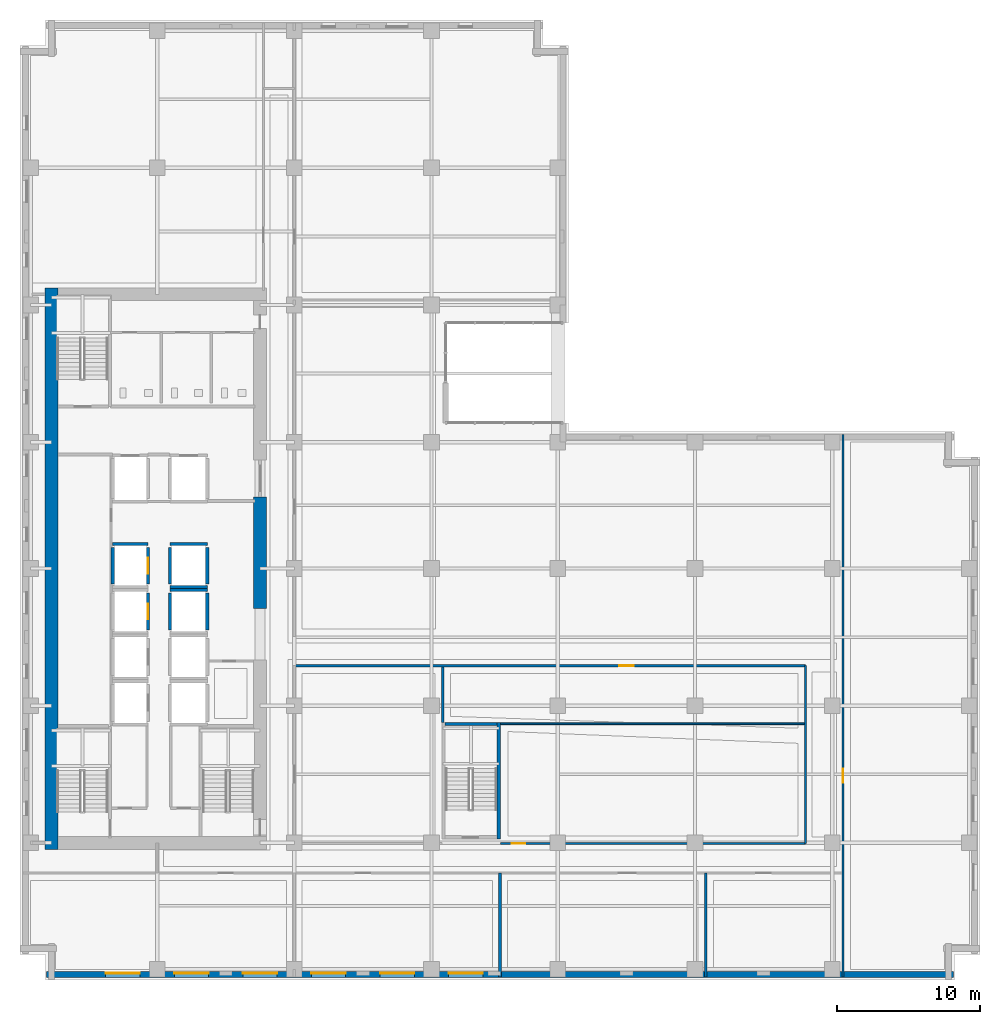
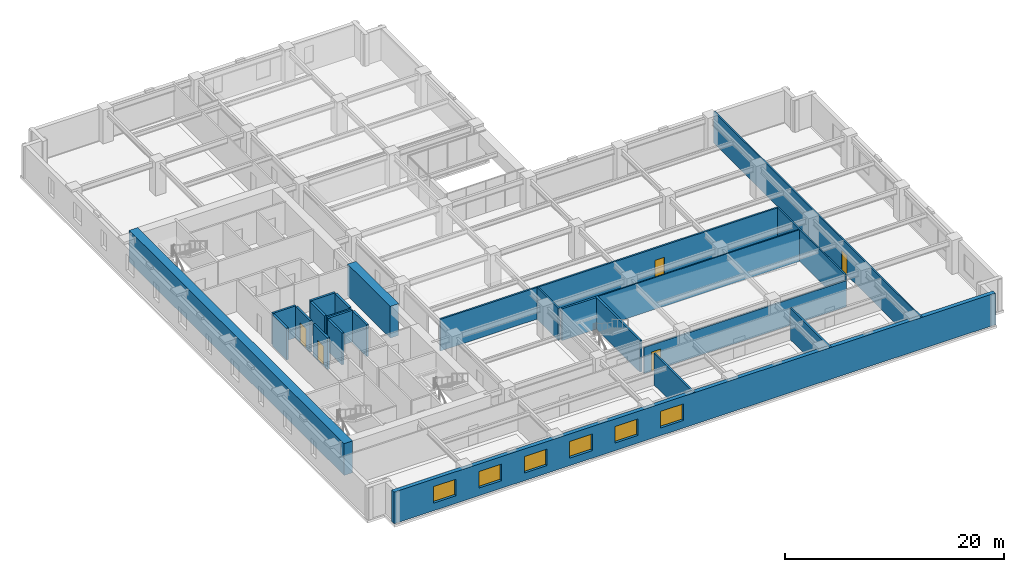
# One storey, part 5 of 14: 24 walls, 6 windows, 5 doors, 11 openings.
"""IFC4 building model written with IfcOpenShell, lengths in metres."""

from ifc_helpers import new_model, si_unit, direction, frame, frame_2d, origin, place, context, subcontext, project, spatial, rectangle, extrude, material, layer, layer_set, type_object, element, fill, save


model = new_model("IFC4")

# Units and contexts
model_context = context("Model", 3, precision=1e-05, world=origin(), true_north=direction((0.0, 1.0)))
body_context = subcontext(model_context, "Body", "Model", "MODEL_VIEW")
ifc_project = project(units=[si_unit("LENGTHUNIT", "METRE"), si_unit("AREAUNIT", "SQUARE_METRE"), si_unit("VOLUMEUNIT", "CUBIC_METRE"), si_unit("PLANEANGLEUNIT", "RADIAN"), si_unit("MASSUNIT", "GRAM", prefix="KILO")], contexts=[model_context])

# Site, building, storey
site_placement = place(None, origin())
site = spatial("IfcSite", under=ifc_project, at=site_placement, CompositionType="ELEMENT")
building_placement = place(site_placement, origin())
building = spatial("IfcBuilding", under=site, at=building_placement, Name="Norrvale University Quadrangle", CompositionType="ELEMENT")
storey_placement = place(building_placement, frame((0.0, 0.0, 62.199951171875)))
storey = spatial("IfcBuildingStorey", under=building, at=storey_placement, Name="L15", CompositionType="ELEMENT", Elevation=62.199951171875)

# Wall, openings, windows
ifc_material_1 = material(Name="Buff Norman Clay Brick Masonry", Category="masonry")
ifc_layer_1 = layer(ifc_material_1, 0.419921875, Name="Buff Norman Clay Brick Masonry")
ifc_layer_set_1 = layer_set([ifc_layer_1], Name="Buff Norman Clay Brick Masonry")
wall_type_1 = type_object("IfcWallType", Name="Wall Buff Brick 420", PredefinedType="SOLIDWALL", material=ifc_layer_set_1)
wall_1_placement = place(storey_placement, frame((1.840087890625, 0.389892578125, 0.0), z_axis=(0.0, 0.0, 1.0), x_axis=(1.0, 0.0, 0.0)))
wall_1 = element("IfcWall", 1, at=wall_1_placement, inside=storey, type_object=wall_type_1, Name="Exterior Brick Facade Wall L15-01.1", PredefinedType="SOLIDWALL", context=body_context, shape_type="SweptSolid", body=[
    extrude(rectangle(XDim=63.52001953125, YDim=0.419921875, at=frame_2d((31.760009765625, 0.0))), origin(), (0.0, 0.0, 1.0), 3.5400390625),
])
opening_1_placement = place(wall_1_placement, frame((4.159912109375, 0.0, 0.85009765625)))
opening_1 = element("IfcOpeningElement", 2, at=opening_1_placement, cuts=wall_1, Name="Opening W02", PredefinedType="OPENING", context=body_context, shape_type="SweptSolid", body=[
    extrude(rectangle(XDim=2.39990234375, YDim=1.85009765625, at=frame_2d((1.199951171875, 0.925048828125))), frame((0.0, 0.221923828125, 0.0), z_axis=(0.0, -1.0, 0.0), x_axis=(1.0, 0.0, 0.0)), (0.0, 0.0, 1.0), 0.44384765625),
])
opening_2_placement = place(wall_1_placement, frame((8.9599609375, 0.0, 0.85009765625)))
opening_2 = element("IfcOpeningElement", 3, at=opening_2_placement, cuts=wall_1, Name="Opening W02", PredefinedType="OPENING", context=body_context, shape_type="SweptSolid", body=[
    extrude(rectangle(XDim=2.39990234375, YDim=1.85009765625, at=frame_2d((1.199951171875, 0.925048828125))), frame((0.0, 0.221923828125, 0.0), z_axis=(0.0, -1.0, 0.0), x_axis=(1.0, 0.0, 0.0)), (0.0, 0.0, 1.0), 0.44384765625),
])
opening_3_placement = place(wall_1_placement, frame((13.760009765625, 0.0, 0.85009765625)))
opening_3 = element("IfcOpeningElement", 4, at=opening_3_placement, cuts=wall_1, Name="Opening W02", PredefinedType="OPENING", context=body_context, shape_type="SweptSolid", body=[
    extrude(rectangle(XDim=2.39990234375, YDim=1.85009765625, at=frame_2d((1.199951171875, 0.925048828125))), frame((0.0, 0.221923828125, 0.0), z_axis=(0.0, -1.0, 0.0), x_axis=(1.0, 0.0, 0.0)), (0.0, 0.0, 1.0), 0.44384765625),
])
opening_4_placement = place(wall_1_placement, frame((18.56005859375, 0.0, 0.85009765625)))
opening_4 = element("IfcOpeningElement", 5, at=opening_4_placement, cuts=wall_1, Name="Opening W02", PredefinedType="OPENING", context=body_context, shape_type="SweptSolid", body=[
    extrude(rectangle(XDim=2.39990234375, YDim=1.85009765625, at=frame_2d((1.199951171875, 0.925048828125))), frame((0.0, 0.221923828125, 0.0), z_axis=(0.0, -1.0, 0.0), x_axis=(1.0, 0.0, 0.0)), (0.0, 0.0, 1.0), 0.44384765625),
])
opening_5_placement = place(wall_1_placement, frame((23.360107421875, 0.0, 0.85009765625)))
opening_5 = element("IfcOpeningElement", 6, at=opening_5_placement, cuts=wall_1, Name="Opening W02", PredefinedType="OPENING", context=body_context, shape_type="SweptSolid", body=[
    extrude(rectangle(XDim=2.39990234375, YDim=1.85009765625, at=frame_2d((1.199951171875, 0.925048828125))), frame((0.0, 0.221923828125, 0.0), z_axis=(0.0, -1.0, 0.0), x_axis=(1.0, 0.0, 0.0)), (0.0, 0.0, 1.0), 0.44384765625),
])
opening_6_placement = place(wall_1_placement, frame((28.159912109375, 0.0, 0.85009765625)))
opening_6 = element("IfcOpeningElement", 7, at=opening_6_placement, cuts=wall_1, Name="Opening W02", PredefinedType="OPENING", context=body_context, shape_type="SweptSolid", body=[
    extrude(rectangle(XDim=2.39990234375, YDim=1.85009765625, at=frame_2d((1.199951171875, 0.925048828125))), frame((0.0, 0.221923828125, 0.0), z_axis=(0.0, -1.0, 0.0), x_axis=(1.0, 0.0, 0.0)), (0.0, 0.0, 1.0), 0.44384765625),
])
ifc_material_2 = material(Name="Triple Low-E Argon Glazing", Category="glass")
window_type = type_object("IfcWindowType", Name="Window Academic 2400x2300", PartitioningType="TRIPLE_PANEL_VERTICAL", PredefinedType="WINDOW", material=ifc_material_2)
window_1_placement = place(opening_1_placement, origin())
window_1 = element("IfcWindow", 8, at=window_1_placement, inside=storey, type_object=window_type, Name="Window Academic 2400x2300 WIN-L15-E01-1-01", OverallHeight=1.85009765625, OverallWidth=2.39990234375, PartitioningType="TRIPLE_PANEL_VERTICAL", PredefinedType="WINDOW", context=body_context, shape_type="SweptSolid", body=[
    extrude(rectangle(XDim=2.39990234375, YDim=1.85009765625, at=frame_2d((1.199951171875, 0.925048828125))), frame((0.0, 0.110107421875, 0.0), z_axis=(0.0, -1.0, 0.0), x_axis=(1.0, 0.0, 0.0)), (0.0, 0.0, 1.0), 0.06005859375),
])
fill(opening_1, window_1)
window_2_placement = place(opening_2_placement, origin())
window_2 = element("IfcWindow", 9, at=window_2_placement, inside=storey, type_object=window_type, Name="Window Academic 2400x2300 WIN-L15-E01-1-02", OverallHeight=1.85009765625, OverallWidth=2.39990234375, PartitioningType="TRIPLE_PANEL_VERTICAL", PredefinedType="WINDOW", context=body_context, shape_type="SweptSolid", body=[
    extrude(rectangle(XDim=2.39990234375, YDim=1.85009765625, at=frame_2d((1.199951171875, 0.925048828125))), frame((0.0, 0.110107421875, 0.0), z_axis=(0.0, -1.0, 0.0), x_axis=(1.0, 0.0, 0.0)), (0.0, 0.0, 1.0), 0.06005859375),
])
fill(opening_2, window_2)
window_3_placement = place(opening_3_placement, origin())
window_3 = element("IfcWindow", 10, at=window_3_placement, inside=storey, type_object=window_type, Name="Window Academic 2400x2300 WIN-L15-E01-1-03", OverallHeight=1.85009765625, OverallWidth=2.39990234375, PartitioningType="TRIPLE_PANEL_VERTICAL", PredefinedType="WINDOW", context=body_context, shape_type="SweptSolid", body=[
    extrude(rectangle(XDim=2.39990234375, YDim=1.85009765625, at=frame_2d((1.199951171875, 0.925048828125))), frame((0.0, 0.110107421875, 0.0), z_axis=(0.0, -1.0, 0.0), x_axis=(1.0, 0.0, 0.0)), (0.0, 0.0, 1.0), 0.06005859375),
])
fill(opening_3, window_3)
window_4_placement = place(opening_4_placement, origin())
window_4 = element("IfcWindow", 11, at=window_4_placement, inside=storey, type_object=window_type, Name="Window Academic 2400x2300 WIN-L15-E01-1-04", OverallHeight=1.85009765625, OverallWidth=2.39990234375, PartitioningType="TRIPLE_PANEL_VERTICAL", PredefinedType="WINDOW", context=body_context, shape_type="SweptSolid", body=[
    extrude(rectangle(XDim=2.39990234375, YDim=1.85009765625, at=frame_2d((1.199951171875, 0.925048828125))), frame((0.0, 0.110107421875, 0.0), z_axis=(0.0, -1.0, 0.0), x_axis=(1.0, 0.0, 0.0)), (0.0, 0.0, 1.0), 0.06005859375),
])
fill(opening_4, window_4)
window_5_placement = place(opening_5_placement, origin())
window_5 = element("IfcWindow", 12, at=window_5_placement, inside=storey, type_object=window_type, Name="Window Academic 2400x2300 WIN-L15-E01-1-05", OverallHeight=1.85009765625, OverallWidth=2.39990234375, PartitioningType="TRIPLE_PANEL_VERTICAL", PredefinedType="WINDOW", context=body_context, shape_type="SweptSolid", body=[
    extrude(rectangle(XDim=2.39990234375, YDim=1.85009765625, at=frame_2d((1.199951171875, 0.925048828125))), frame((0.0, 0.110107421875, 0.0), z_axis=(0.0, -1.0, 0.0), x_axis=(1.0, 0.0, 0.0)), (0.0, 0.0, 1.0), 0.06005859375),
])
fill(opening_5, window_5)
window_6_placement = place(opening_6_placement, origin())
window_6 = element("IfcWindow", 13, at=window_6_placement, inside=storey, type_object=window_type, Name="Window Academic 2400x2300 WIN-L15-E01-1-06", OverallHeight=1.85009765625, OverallWidth=2.39990234375, PartitioningType="TRIPLE_PANEL_VERTICAL", PredefinedType="WINDOW", context=body_context, shape_type="SweptSolid", body=[
    extrude(rectangle(XDim=2.39990234375, YDim=1.85009765625, at=frame_2d((1.199951171875, 0.925048828125))), frame((0.0, 0.110107421875, 0.0), z_axis=(0.0, -1.0, 0.0), x_axis=(1.0, 0.0, 0.0)), (0.0, 0.0, 1.0), 0.06005859375),
])
fill(opening_6, window_6)

# Walls
ifc_material_3 = material(Name="Concrete C80/95", Category="concrete")
ifc_layer_2 = layer(ifc_material_3, 0.89990234375, Name="Concrete C80/95")
ifc_layer_set_2 = layer_set([ifc_layer_2], Name="Concrete C80/95")
wall_type_2 = type_object("IfcWallType", Name="Wall Core 900", PredefinedType="SHEAR", material=ifc_layer_set_2)
wall_2_placement = place(storey_placement, frame((2.199951171875, 9.14990234375, 0.0), z_axis=(0.0, 0.0, 1.0), x_axis=(0.0, 1.0, 0.0)))
element("IfcWall", 14, at=wall_2_placement, inside=storey, type_object=wall_type_2, Name="Tower Core Shear Wall L15-W", PredefinedType="SHEAR", context=body_context, shape_type="SweptSolid", body=[
    extrude(rectangle(XDim=39.300048828125, YDim=0.89990234375, at=frame_2d((19.64990234375, 0.0))), origin(), (0.0, 0.0, 1.0), 3.5400390625),
])
wall_3_placement = place(storey_placement, frame((16.800048828125, 26.0, 0.0), z_axis=(0.0, 0.0, 1.0), x_axis=(0.0, 1.0, 0.0)))
element("IfcWall", 15, at=wall_3_placement, inside=storey, type_object=wall_type_2, Name="Tower Core Shear Wall L15-E2", PredefinedType="SHEAR", context=body_context, shape_type="SweptSolid", body=[
    extrude(rectangle(XDim=7.800048828125, YDim=0.89990234375, at=frame_2d((3.89990234375, 0.0))), origin(), (0.0, 0.0, 1.0), 3.5400390625),
])
ifc_material_4 = material(Name="Standard Academic Gypsum Partition")
ifc_layer_3 = layer(ifc_material_4, 0.125, Name="Standard Academic Gypsum Partition")
ifc_layer_set_3 = layer_set([ifc_layer_3], Name="Standard Academic Gypsum Partition")
wall_type_3 = type_object("IfcWallType", Name="Wall Gypsum Academic 125", PredefinedType="PARTITIONING", material=ifc_layer_set_3)
wall_4_placement = place(storey_placement, frame((33.6201171875, 17.93994140625, 0.0), z_axis=(0.0, 0.0, 1.0), x_axis=(1.0, 0.0, 0.0)))
element("IfcWall", 16, at=wall_4_placement, inside=storey, type_object=wall_type_3, Name="Interior Partition WL-L15-ISLH", PredefinedType="PARTITIONING", context=body_context, shape_type="SweptSolid", body=[
    extrude(rectangle(XDim=21.35498046875, YDim=0.125, at=frame_2d((10.677490234375, 0.0))), origin(), (0.0, 0.0, 1.0), 3.5400390625),
])

# Wall, opening, door
ifc_material_5 = material(Name="Fire-Rated Gypsum Stud Partition")
ifc_layer_4 = layer(ifc_material_5, 0.14990234375, Name="Fire-Rated Gypsum Stud Partition")
ifc_layer_set_4 = layer_set([ifc_layer_4], Name="Fire-Rated Gypsum Stud Partition")
wall_type_4 = type_object("IfcWallType", Name="Wall Gypsum Corridor 150", PredefinedType="PARTITIONING", material=ifc_layer_set_4)
wall_5_placement = place(storey_placement, frame((57.60009765625, 0.219970703125, 0.0), z_axis=(0.0, 0.0, 1.0), x_axis=(0.0, 1.0, 0.0)))
wall_5 = element("IfcWall", 17, at=wall_5_placement, inside=storey, type_object=wall_type_4, Name="Interior Partition WL-L15-ECW", PredefinedType="PARTITIONING", context=body_context, shape_type="SweptSolid", body=[
    extrude(rectangle(XDim=37.9599609375, YDim=0.14990234375, at=frame_2d((18.97998046875, 0.0))), origin(), (0.0, 0.0, 1.0), 3.5400390625),
])
opening_7_placement = place(wall_5_placement, frame((13.580078125, 0.0, 0.0)))
opening_7 = element("IfcOpeningElement", 18, at=opening_7_placement, cuts=wall_5, Name="Opening D04", PredefinedType="OPENING", context=body_context, shape_type="SweptSolid", body=[
    extrude(rectangle(XDim=1.0, YDim=2.199951171875, at=frame_2d((0.5, 1.10009765625))), frame((0.0, 0.0869140625, 0.0), z_axis=(0.0, -1.0, 0.0), x_axis=(1.0, 0.0, 0.0)), (0.0, 0.0, 1.0), 0.173828125),
])
ifc_material_6 = material(Name="Solid-Core Oak Fire Door", Category="wood")
door_type_1 = type_object("IfcDoorType", Name="Door Corridor 1000x2200", OperationType="NOTDEFINED", PredefinedType="DOOR", material=ifc_material_6)
door_1_placement = place(opening_7_placement, origin())
door_1 = element("IfcDoor", 19, at=door_1_placement, inside=storey, type_object=door_type_1, Name="Door Corridor 1000x2200 DR-L15-E01", OperationType="SINGLE_SWING_RIGHT", OverallHeight=2.199951171875, OverallWidth=1.0, PredefinedType="DOOR", context=body_context, shape_type="SweptSolid", body=[
    extrude(rectangle(XDim=1.0, YDim=2.199951171875, at=frame_2d((0.5, 1.10009765625))), frame((0.0, 0.02490234375, 0.0), z_axis=(0.0, -1.0, 0.0), x_axis=(1.0, 0.0, 0.0)), (0.0, 0.0, 1.0), 0.050048828125),
])
fill(opening_7, door_1)

wall_6_placement = place(storey_placement, frame((33.6201171875, 9.550048828125, 0.0), z_axis=(0.0, 0.0, 1.0), x_axis=(1.0, 0.0, 0.0)))
wall_6 = element("IfcWall", 20, at=wall_6_placement, inside=storey, type_object=wall_type_4, Name="Interior Partition WL-L15-ISLS2", PredefinedType="PARTITIONING", context=body_context, shape_type="SweptSolid", body=[
    extrude(rectangle(XDim=21.35498046875, YDim=0.14990234375, at=frame_2d((10.677490234375, 0.0))), origin(), (0.0, 0.0, 1.0), 2.923095703125),
])
opening_8_placement = place(wall_6_placement, frame((0.800048828125, 0.0, 0.0)))
opening_8 = element("IfcOpeningElement", 21, at=opening_8_placement, cuts=wall_6, Name="Opening D07", PredefinedType="OPENING", context=body_context, shape_type="SweptSolid", body=[
    extrude(rectangle(XDim=0.949951171875, YDim=2.14990234375, at=frame_2d((0.47509765625, 1.074951171875))), frame((0.0, 0.0869140625, 0.0), z_axis=(0.0, -1.0, 0.0), x_axis=(1.0, 0.0, 0.0)), (0.0, 0.0, 1.0), 0.173828125),
])
ifc_material_7 = material(Name="Solid-Core Maple Door", Category="wood")
door_type_2 = type_object("IfcDoorType", Name="Door Office 950x2150", OperationType="NOTDEFINED", PredefinedType="DOOR", material=ifc_material_7)
door_2_placement = place(opening_8_placement, origin())
door_2 = element("IfcDoor", 22, at=door_2_placement, inside=storey, type_object=door_type_2, Name="Door Office 950x2150 DR-L15-ISE", OperationType="SINGLE_SWING_LEFT", OverallHeight=2.14990234375, OverallWidth=0.949951171875, PredefinedType="DOOR", context=body_context, shape_type="SweptSolid", body=[
    extrude(rectangle(XDim=0.949951171875, YDim=2.14990234375, at=frame_2d((0.47509765625, 1.074951171875))), frame((0.0, 0.02490234375, 0.0), z_axis=(0.0, -1.0, 0.0), x_axis=(1.0, 0.0, 0.0)), (0.0, 0.0, 1.0), 0.050048828125),
])
fill(opening_8, door_2)

# Walls
wall_7_placement = place(storey_placement, frame((54.97509765625, 9.550048828125, 0.0), z_axis=(0.0, 0.0, 1.0), x_axis=(0.0, 1.0, 0.0)))
element("IfcWall", 23, at=wall_7_placement, inside=storey, type_object=wall_type_4, Name="Interior Partition WL-L15-ISLE", PredefinedType="PARTITIONING", context=body_context, shape_type="SweptSolid", body=[
    extrude(rectangle(XDim=12.449951171875, YDim=0.14990234375, at=frame_2d((6.22509765625, 0.0))), origin(), (0.0, 0.0, 1.0), 3.5400390625),
])
ifc_material_8 = material(Name="Acoustic Double-Stud Gypsum Partition")
ifc_layer_5 = layer(ifc_material_8, 0.179931640625, Name="Acoustic Double-Stud Gypsum Partition")
ifc_layer_set_5 = layer_set([ifc_layer_5], Name="Acoustic Double-Stud Gypsum Partition")
wall_type_5 = type_object("IfcWallType", Name="Wall Gypsum Lecture 180", PredefinedType="PARTITIONING", material=ifc_layer_set_5)
for number, where, z_axis, x_axis, name in (
    (24, (33.60009765625, 0.219970703125, 0.0), (0.0, 0.0, 1.0), (0.0, 1.0, 0.0), "Interior Partition WL-L15-SP02"),
    (25, (48.0, 0.219970703125, 0.0), (0.0, 0.0, 1.0), (0.0, 1.0, 0.0), "Interior Partition WL-L15-SP03"),
):
    element("IfcWall", number, at=place(storey_placement, frame(where, z_axis=z_axis, x_axis=x_axis)), inside=storey, type_object=wall_type_5, Name=name, PredefinedType="PARTITIONING", context=body_context, shape_type="SweptSolid", body=[
        extrude(rectangle(XDim=7.280029296875, YDim=0.179931640625, at=frame_2d((3.64013671875, 0.0))), origin(), (0.0, 0.0, 1.0), 3.5400390625),
    ])
wall_8_placement = place(storey_placement, frame((29.580078125, 18.02490234375, 0.0), z_axis=(0.0, 0.0, 1.0), x_axis=(0.0, 1.0, 0.0)))
element("IfcWall", 26, at=wall_8_placement, inside=storey, type_object=wall_type_5, Name="Interior Partition WL-L15-ISLD", PredefinedType="PARTITIONING", context=body_context, shape_type="SweptSolid", body=[
    extrude(rectangle(XDim=3.880126953125, YDim=0.179931640625, at=frame_2d((1.93994140625, 0.0))), origin(), (0.0, 0.0, 1.0), 3.5400390625),
])

# Wall, opening, door
wall_9_placement = place(storey_placement, frame((19.280029296875, 22.0, 0.0), z_axis=(0.0, 0.0, 1.0), x_axis=(1.0, 0.0, 0.0)))
wall_9 = element("IfcWall", 27, at=wall_9_placement, inside=storey, type_object=wall_type_5, Name="Interior Partition WL-L15-ISLN", PredefinedType="PARTITIONING", context=body_context, shape_type="SweptSolid", body=[
    extrude(rectangle(XDim=35.695068359375, YDim=0.179931640625, at=frame_2d((17.84765625, 0.0))), origin(), (0.0, 0.0, 1.0), 3.5400390625),
])
opening_9_placement = place(wall_9_placement, frame((22.669921875, 0.0, 0.0)))
opening_9 = element("IfcOpeningElement", 28, at=opening_9_placement, cuts=wall_9, Name="Opening D04", PredefinedType="OPENING", context=body_context, shape_type="SweptSolid", body=[
    extrude(rectangle(XDim=1.0, YDim=2.199951171875, at=frame_2d((0.5, 1.10009765625))), frame((0.0, 0.10205078125, 0.0), z_axis=(0.0, -1.0, 0.0), x_axis=(1.0, 0.0, 0.0)), (0.0, 0.0, 1.0), 0.203857421875),
])
door_3_placement = place(opening_9_placement, origin())
door_3 = element("IfcDoor", 29, at=door_3_placement, inside=storey, type_object=door_type_1, Name="Door Corridor 1000x2200 DR-L15-ILH", OperationType="SINGLE_SWING_RIGHT", OverallHeight=2.199951171875, OverallWidth=1.0, PredefinedType="DOOR", context=body_context, shape_type="SweptSolid", body=[
    extrude(rectangle(XDim=1.0, YDim=2.199951171875, at=frame_2d((0.5, 1.10009765625))), frame((0.0, 0.02490234375, 0.0), z_axis=(0.0, -1.0, 0.0), x_axis=(1.0, 0.0, 0.0)), (0.0, 0.0, 1.0), 0.050048828125),
])
fill(opening_9, door_3)

# Walls
ifc_material_9 = material(Name="Concrete Blockwork 20 MPa Fire Shaft", Category="masonry")
ifc_layer_6 = layer(ifc_material_9, 0.219970703125, Name="Concrete Blockwork 20 MPa Fire Shaft")
ifc_layer_set_6 = layer_set([ifc_layer_6], Name="Concrete Blockwork 20 MPa Fire Shaft")
wall_type_6 = type_object("IfcWallType", Name="Wall Shaft 220", PredefinedType="SOLIDWALL", material=ifc_layer_set_6)
wall_10_placement = place(storey_placement, frame((33.510009765625, 9.8798828125, 0.0), z_axis=(0.0, 0.0, 1.0), x_axis=(0.0, 1.0, 0.0)))
element("IfcWall", 30, at=wall_10_placement, inside=storey, type_object=wall_type_6, Name="Stair ST-04 East Shaft Wall L15", PredefinedType="SOLIDWALL", context=body_context, shape_type="SweptSolid", body=[
    extrude(rectangle(XDim=8.14013671875, YDim=0.219970703125, at=frame_2d((4.070068359375, 0.0))), origin(), (0.0, 0.0, 1.0), 3.5400390625),
])
wall_11_placement = place(storey_placement, frame((29.75, 17.909912109375, 0.0), z_axis=(0.0, 0.0, 1.0), x_axis=(1.0, 0.0, 0.0)))
element("IfcWall", 31, at=wall_11_placement, inside=storey, type_object=wall_type_6, Name="Stair ST-04 North Shaft Wall L15", PredefinedType="SOLIDWALL", context=body_context, shape_type="SweptSolid", body=[
    extrude(rectangle(XDim=3.64990234375, YDim=0.219970703125, at=frame_2d((1.824951171875, 0.0))), origin(), (0.0, 0.0, 1.0), 3.5400390625),
])

# Wall, opening, door
wall_12_placement = place(storey_placement, frame((8.9599609375, 24.510009765625, 0.0), z_axis=(0.0, 0.0, 1.0), x_axis=(0.0, 1.0, 0.0)))
wall_12 = element("IfcWall", 32, at=wall_12_placement, inside=storey, type_object=wall_type_6, Name="Hoistway PL-03 East Wall L15", PredefinedType="SOLIDWALL", context=body_context, shape_type="SweptSolid", body=[
    extrude(rectangle(XDim=2.580078125, YDim=0.219970703125, at=frame_2d((1.2900390625, 0.0))), origin(), (0.0, 0.0, 1.0), 3.5400390625),
])
opening_10_placement = place(wall_12_placement, frame((0.739990234375, 0.0, 0.0)))
opening_10 = element("IfcOpeningElement", 33, at=opening_10_placement, cuts=wall_12, Name="Opening LD1", PredefinedType="OPENING", context=body_context, shape_type="SweptSolid", body=[
    extrude(rectangle(XDim=1.10009765625, YDim=2.199951171875, at=frame_2d((0.550048828125, 1.10009765625))), frame((0.0, 0.1220703125, 0.0), z_axis=(0.0, -1.0, 0.0), x_axis=(1.0, 0.0, 0.0)), (0.0, 0.0, 1.0), 0.243896484375),
])
ifc_material_10 = material(Name="Stainless Steel 316L Lift Landing Door", Category="steel")
door_type_3 = type_object("IfcDoorType", Name="Door Lift Landing 1100x2200", OperationType="DOUBLE_DOOR_SLIDING", PredefinedType="DOOR", material=ifc_material_10)
door_4_placement = place(opening_10_placement, origin())
door_4 = element("IfcDoor", 34, at=door_4_placement, inside=storey, type_object=door_type_3, Name="Elevator Landing Door DR-L15-PL-03", OperationType="DOUBLE_DOOR_SLIDING", OverallHeight=2.199951171875, OverallWidth=1.10009765625, PredefinedType="DOOR", context=body_context, shape_type="SweptSolid", body=[
    extrude(rectangle(XDim=1.10009765625, YDim=2.199951171875, at=frame_2d((0.550048828125, 1.10009765625))), frame((0.0, 0.02490234375, 0.0), z_axis=(0.0, -1.0, 0.0), x_axis=(1.0, 0.0, 0.0)), (0.0, 0.0, 1.0), 0.050048828125),
])
fill(opening_10, door_4)

# Wall
wall_13_placement = place(storey_placement, frame((6.489990234375, 27.7099609375, 0.0), z_axis=(0.0, 0.0, 1.0), x_axis=(0.0, 1.0, 0.0)))
element("IfcWall", 35, at=wall_13_placement, inside=storey, type_object=wall_type_6, Name="Hoistway PL-04 West Wall L15", PredefinedType="SOLIDWALL", context=body_context, shape_type="SweptSolid", body=[
    extrude(rectangle(XDim=2.580078125, YDim=0.219970703125, at=frame_2d((1.2900390625, 0.0))), origin(), (0.0, 0.0, 1.0), 3.5400390625),
])

# Wall, opening, door
wall_14_placement = place(storey_placement, frame((8.9599609375, 27.7099609375, 0.0), z_axis=(0.0, 0.0, 1.0), x_axis=(0.0, 1.0, 0.0)))
wall_14 = element("IfcWall", 36, at=wall_14_placement, inside=storey, type_object=wall_type_6, Name="Hoistway PL-04 East Wall L15", PredefinedType="SOLIDWALL", context=body_context, shape_type="SweptSolid", body=[
    extrude(rectangle(XDim=2.580078125, YDim=0.219970703125, at=frame_2d((1.2900390625, 0.0))), origin(), (0.0, 0.0, 1.0), 3.5400390625),
])
opening_11_placement = place(wall_14_placement, frame((0.739990234375, 0.0, 0.0)))
opening_11 = element("IfcOpeningElement", 37, at=opening_11_placement, cuts=wall_14, Name="Opening LD1", PredefinedType="OPENING", context=body_context, shape_type="SweptSolid", body=[
    extrude(rectangle(XDim=1.10009765625, YDim=2.199951171875, at=frame_2d((0.550048828125, 1.10009765625))), frame((0.0, 0.1220703125, 0.0), z_axis=(0.0, -1.0, 0.0), x_axis=(1.0, 0.0, 0.0)), (0.0, 0.0, 1.0), 0.243896484375),
])
door_5_placement = place(opening_11_placement, origin())
door_5 = element("IfcDoor", 38, at=door_5_placement, inside=storey, type_object=door_type_3, Name="Elevator Landing Door DR-L15-PL-04", OperationType="DOUBLE_DOOR_SLIDING", OverallHeight=2.199951171875, OverallWidth=1.10009765625, PredefinedType="DOOR", context=body_context, shape_type="SweptSolid", body=[
    extrude(rectangle(XDim=1.10009765625, YDim=2.199951171875, at=frame_2d((0.550048828125, 1.10009765625))), frame((0.0, 0.02490234375, 0.0), z_axis=(0.0, -1.0, 0.0), x_axis=(1.0, 0.0, 0.0)), (0.0, 0.0, 1.0), 0.050048828125),
])
fill(opening_11, door_5)

# Walls
wall_15_placement = place(storey_placement, frame((6.489990234375, 30.510009765625, 0.0), z_axis=(0.0, 0.0, 1.0), x_axis=(1.0, 0.0, 0.0)))
element("IfcWall", 39, at=wall_15_placement, inside=storey, type_object=wall_type_6, Name="Hoistway PL-04 North Wall L15", PredefinedType="SOLIDWALL", context=body_context, shape_type="SweptSolid", body=[
    extrude(rectangle(XDim=2.469970703125, YDim=0.219970703125, at=frame_2d((1.23486328125, 0.0))), origin(), (0.0, 0.0, 1.0), 3.5400390625),
])
for number, where, z_axis, x_axis, name in (
    (40, (10.489990234375, 24.510009765625, 0.0), (0.0, 0.0, 1.0), (0.0, 1.0, 0.0), "Hoistway PL-07 West Wall L15"),
    (41, (13.110107421875, 24.510009765625, 0.0), (0.0, 0.0, 1.0), (0.0, 1.0, 0.0), "Hoistway PL-07 East Wall L15"),
):
    element("IfcWall", number, at=place(storey_placement, frame(where, z_axis=z_axis, x_axis=x_axis)), inside=storey, type_object=wall_type_6, Name=name, PredefinedType="SOLIDWALL", context=body_context, shape_type="SweptSolid", body=[
        extrude(rectangle(XDim=2.580078125, YDim=0.219970703125, at=frame_2d((1.2900390625, 0.0))), origin(), (0.0, 0.0, 1.0), 3.5400390625),
    ])
wall_16_placement = place(storey_placement, frame((10.489990234375, 27.31005859375, 0.0), z_axis=(0.0, 0.0, 1.0), x_axis=(1.0, 0.0, 0.0)))
element("IfcWall", 42, at=wall_16_placement, inside=storey, type_object=wall_type_6, Name="Hoistway PL-07 North Wall L15", PredefinedType="SOLIDWALL", context=body_context, shape_type="SweptSolid", body=[
    extrude(rectangle(XDim=2.6201171875, YDim=0.219970703125, at=frame_2d((1.31005859375, 0.0))), origin(), (0.0, 0.0, 1.0), 3.5400390625),
])
for number, where, z_axis, x_axis, name in (
    (43, (10.489990234375, 27.7099609375, 0.0), (0.0, 0.0, 1.0), (0.0, 1.0, 0.0), "Hoistway PL-08 West Wall L15"),
    (44, (13.110107421875, 27.7099609375, 0.0), (0.0, 0.0, 1.0), (0.0, 1.0, 0.0), "Hoistway PL-08 East Wall L15"),
):
    element("IfcWall", number, at=place(storey_placement, frame(where, z_axis=z_axis, x_axis=x_axis)), inside=storey, type_object=wall_type_6, Name=name, PredefinedType="SOLIDWALL", context=body_context, shape_type="SweptSolid", body=[
        extrude(rectangle(XDim=2.580078125, YDim=0.219970703125, at=frame_2d((1.2900390625, 0.0))), origin(), (0.0, 0.0, 1.0), 3.5400390625),
    ])
for number, where, z_axis, x_axis, name in (
    (45, (10.489990234375, 27.489990234375, 0.0), (0.0, 0.0, 1.0), (1.0, 0.0, 0.0), "Hoistway PL-08 South Wall L15"),
    (46, (10.489990234375, 30.510009765625, 0.0), (0.0, 0.0, 1.0), (1.0, 0.0, 0.0), "Hoistway PL-08 North Wall L15"),
):
    element("IfcWall", number, at=place(storey_placement, frame(where, z_axis=z_axis, x_axis=x_axis)), inside=storey, type_object=wall_type_6, Name=name, PredefinedType="SOLIDWALL", context=body_context, shape_type="SweptSolid", body=[
        extrude(rectangle(XDim=2.6201171875, YDim=0.219970703125, at=frame_2d((1.31005859375, 0.0))), origin(), (0.0, 0.0, 1.0), 3.5400390625),
    ])

save(model, "model.ifc")
